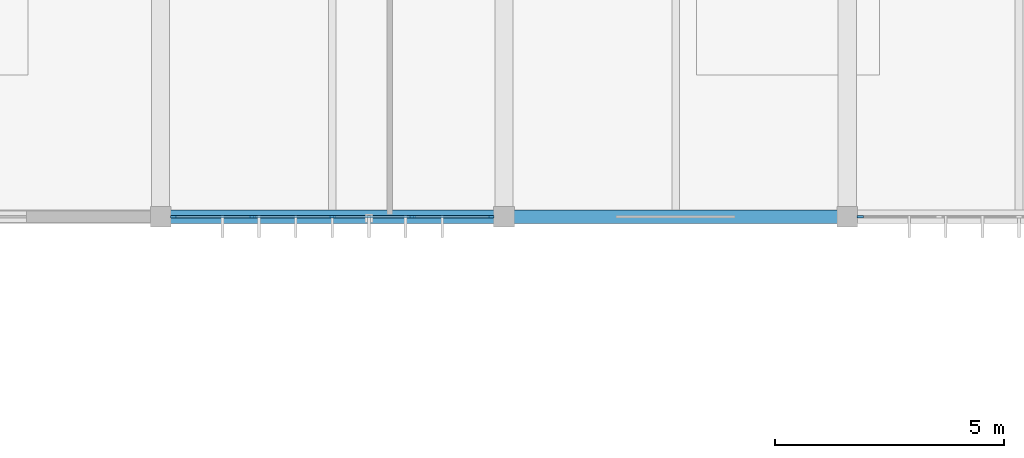
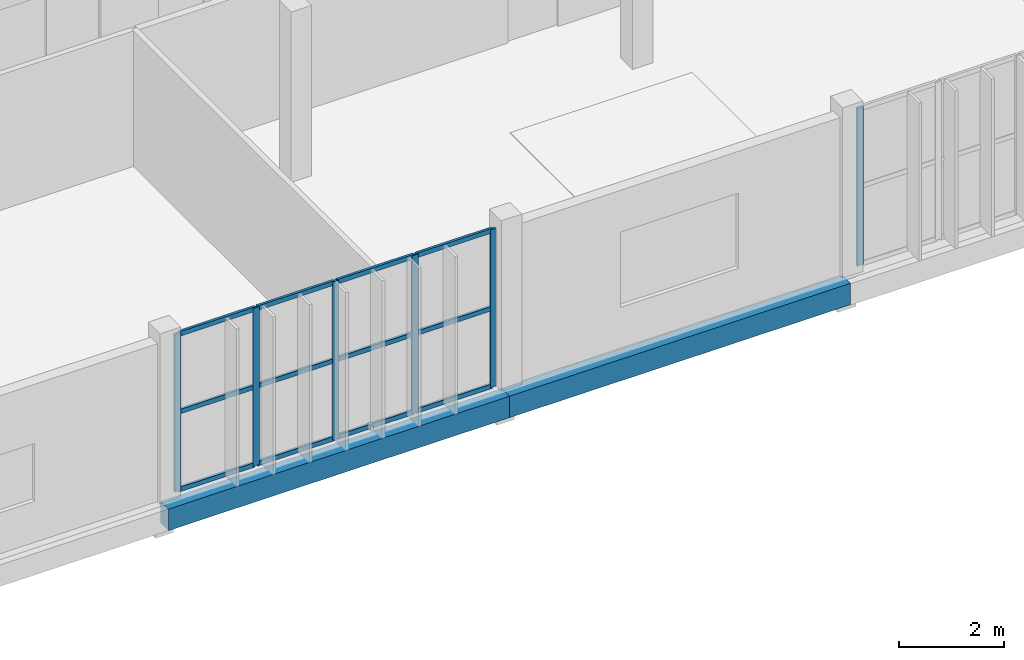
# One storey, part 8 of 26: 18 members, 2 beams, 2 elements without a shape of their own.
"""IFC4 building model written with IfcOpenShell, lengths in metres."""

from ifc_helpers import new_model, si_unit, direction, frame, origin, origin_2d, place, context, subcontext, project, spatial, rectangle, extrude, material, material_profile, profile_set, type_object, element, aggregate, save


model = new_model("IFC4")

# Units and contexts
model_context = context("Model", 3, precision=1e-05, world=origin(), true_north=direction((0.0, 1.0)))
body_context = subcontext(model_context, "Body", "Model", "MODEL_VIEW")
ifc_project = project(units=[si_unit("LENGTHUNIT", "METRE"), si_unit("AREAUNIT", "SQUARE_METRE"), si_unit("VOLUMEUNIT", "CUBIC_METRE"), si_unit("PLANEANGLEUNIT", "RADIAN"), si_unit("MASSUNIT", "GRAM", prefix="KILO")], contexts=[model_context])

# Site, building, storey
site_placement = place(None, origin())
site = spatial("IfcSite", under=ifc_project, at=site_placement, CompositionType="ELEMENT")
building_placement = place(site_placement, origin())
building = spatial("IfcBuilding", under=site, at=building_placement, Name="Vourika Railside Aquatics Centre", CompositionType="ELEMENT")
storey_placement = place(building_placement, frame((0.0, 0.0, 17.699951171875)))
storey = spatial("IfcBuildingStorey", under=building, at=storey_placement, Name="L04", CompositionType="ELEMENT", Elevation=17.699951171875)

# Beams
ifc_material_1 = material(Name="Concrete C35/45", Category="concrete")
ifc_material_profile_1 = material_profile(ifc_material_1, rectangle(XDim=0.300048828125, YDim=0.5, at=origin_2d()), Name="RC 300x500")
ifc_profile_set_1 = profile_set([ifc_material_profile_1], Name="Concrete C35/45")
beam_type = type_object("IfcBeamType", Name="BM-SPAN-300x500", PredefinedType="SPANDREL", material=ifc_profile_set_1)
for number, where, z_axis, x_axis, name in (
    (1, (66.0, 92.0, -0.489990234375), (1.0, 0.0, 0.0), (0.0, 1.0, 0.0), "Floor Beam GX-L04-012"),
    (2, (73.5, 92.0, -0.489990234375), (1.0, 0.0, 0.0), (0.0, 1.0, 0.0), "Floor Beam GX-L04-013"),
):
    element("IfcBeam", number, at=place(storey_placement, frame(where, z_axis=z_axis, x_axis=x_axis)), inside=storey, type_object=beam_type, Name=name, PredefinedType="SPANDREL", context=body_context, shape_type="SweptSolid", body=[
        extrude(rectangle(XDim=0.300048828125, YDim=0.5, at=origin_2d()), origin(), (0.0, 0.0, 1.0), 7.5),
    ])

# Curtain wall, members
ifc_material_2 = material(Name="Anodized thermally broken aluminium", Category="aluminium")
curtain_wall_type = type_object("IfcCurtainWallType", Name="CW-FIT4", PredefinedType="NOTDEFINED", material=ifc_material_2)
curtain_wall_1_placement = place(storey_placement, origin())
curtain_wall_1 = element("IfcCurtainWall", 3, at=curtain_wall_1_placement, inside=storey, type_object=curtain_wall_type, Name="Courtyard Fitness Curtain Wall L04-5", PredefinedType="NOTDEFINED")
ifc_material_3 = material(Name="Anodized aluminium mullion", Category="aluminium")
ifc_material_profile_2 = material_profile(ifc_material_3, rectangle(XDim=0.054931640625, YDim=0.135009765625, at=origin_2d()), Name="ALU-M 55x135")
ifc_profile_set_2 = profile_set([ifc_material_profile_2], Name="Anodized aluminium mullion")
member_type_1 = type_object("IfcMemberType", Name="CWM-FIT4", PredefinedType="MULLION", material=ifc_profile_set_2)
member_1_placement = place(storey_placement, frame((66.282470703125, 92.0, 0.0), z_axis=(0.0, 0.0, 1.0), x_axis=(0.0, 1.0, 0.0)))
member_1 = element("IfcMember", 4, at=member_1_placement, type_object=member_type_1, Name="CW18 mullion 1", PredefinedType="MULLION", context=body_context, shape_type="SweptSolid", body=[
    extrude(rectangle(XDim=0.054931640625, YDim=0.135009765625, at=origin_2d()), origin(), (0.0, 0.0, 1.0), 3.670166015625),
])
member_2_placement = place(storey_placement, frame((68.00244140625, 92.0, 0.0), z_axis=(0.0, 0.0, 1.0), x_axis=(0.0, 1.0, 0.0)))
member_2 = element("IfcMember", 5, at=member_2_placement, type_object=member_type_1, Name="CW18 mullion 2", PredefinedType="MULLION", context=body_context, shape_type="SweptSolid", body=[
    extrude(rectangle(XDim=0.054931640625, YDim=0.135009765625, at=origin_2d()), origin(), (0.0, 0.0, 1.0), 3.670166015625),
])
member_3_placement = place(storey_placement, frame((69.75, 92.0, 0.0), z_axis=(0.0, 0.0, 1.0), x_axis=(0.0, 1.0, 0.0)))
member_3 = element("IfcMember", 6, at=member_3_placement, type_object=member_type_1, Name="CW18 mullion 3", PredefinedType="MULLION", context=body_context, shape_type="SweptSolid", body=[
    extrude(rectangle(XDim=0.054931640625, YDim=0.135009765625, at=origin_2d()), origin(), (0.0, 0.0, 1.0), 3.670166015625),
])
member_4_placement = place(storey_placement, frame((71.49755859375, 92.0, 0.0), z_axis=(0.0, 0.0, 1.0), x_axis=(0.0, 1.0, 0.0)))
member_4 = element("IfcMember", 7, at=member_4_placement, type_object=member_type_1, Name="CW18 mullion 4", PredefinedType="MULLION", context=body_context, shape_type="SweptSolid", body=[
    extrude(rectangle(XDim=0.054931640625, YDim=0.135009765625, at=origin_2d()), origin(), (0.0, 0.0, 1.0), 3.670166015625),
])
member_5_placement = place(storey_placement, frame((73.217529296875, 92.0, 0.0), z_axis=(0.0, 0.0, 1.0), x_axis=(0.0, 1.0, 0.0)))
member_5 = element("IfcMember", 8, at=member_5_placement, type_object=member_type_1, Name="CW18 mullion 5", PredefinedType="MULLION", context=body_context, shape_type="SweptSolid", body=[
    extrude(rectangle(XDim=0.054931640625, YDim=0.135009765625, at=origin_2d()), origin(), (0.0, 0.0, 1.0), 3.670166015625),
])

# Curtain wall, member
curtain_wall_2_placement = place(storey_placement, origin())
curtain_wall_2 = element("IfcCurtainWall", 9, at=curtain_wall_2_placement, inside=storey, type_object=curtain_wall_type, Name="Courtyard Fitness Curtain Wall L04-7", PredefinedType="NOTDEFINED")
member_6_placement = place(storey_placement, frame((81.282470703125, 92.0, 0.0), z_axis=(0.0, 0.0, 1.0), x_axis=(0.0, 1.0, 0.0)))
member_6 = element("IfcMember", 10, at=member_6_placement, type_object=member_type_1, Name="CW18 mullion 1", PredefinedType="MULLION", context=body_context, shape_type="SweptSolid", body=[
    extrude(rectangle(XDim=0.054931640625, YDim=0.135009765625, at=origin_2d()), origin(), (0.0, 0.0, 1.0), 3.670166015625),
])
aggregate(curtain_wall_2, [member_6])

# Member
ifc_material_4 = material(Name="Anodized aluminium transom", Category="aluminium")
ifc_material_profile_3 = material_profile(ifc_material_4, rectangle(XDim=0.054931640625, YDim=0.10595703125, at=origin_2d()), Name="ALU-T 55x106")
ifc_profile_set_3 = profile_set([ifc_material_profile_3], Name="Anodized aluminium transom")
member_type_2 = type_object("IfcMemberType", Name="CWT-FIT4", PredefinedType="USERDEFINED", material=ifc_profile_set_3)
member_7_placement = place(storey_placement, frame((66.31005859375, 92.0, 0.027587890625), z_axis=(1.0, 0.0, 0.0), x_axis=(0.0, 1.0, 0.0)))
member_7 = element("IfcMember", 11, at=member_7_placement, type_object=member_type_2, Name="CW18 transom 1.1", ObjectType="TRANSOM", PredefinedType="USERDEFINED", context=body_context, shape_type="SweptSolid", body=[
    extrude(rectangle(XDim=0.054931640625, YDim=0.10595703125, at=origin_2d()), origin(), (0.0, 0.0, 1.0), 1.6650390625),
])

member_8_placement = place(storey_placement, frame((66.31005859375, 92.0, 1.8349609375), z_axis=(1.0, 0.0, 0.0), x_axis=(0.0, 1.0, 0.0)))
member_8 = element("IfcMember", 12, at=member_8_placement, type_object=member_type_2, Name="CW18 transom 1.2", ObjectType="TRANSOM", PredefinedType="USERDEFINED", context=body_context, shape_type="SweptSolid", body=[
    extrude(rectangle(XDim=0.054931640625, YDim=0.10595703125, at=origin_2d()), origin(), (0.0, 0.0, 1.0), 1.6650390625),
])

member_9_placement = place(storey_placement, frame((66.31005859375, 92.0, 3.642578125), z_axis=(1.0, 0.0, 0.0), x_axis=(0.0, 1.0, 0.0)))
member_9 = element("IfcMember", 13, at=member_9_placement, type_object=member_type_2, Name="CW18 transom 1.3", ObjectType="TRANSOM", PredefinedType="USERDEFINED", context=body_context, shape_type="SweptSolid", body=[
    extrude(rectangle(XDim=0.054931640625, YDim=0.10595703125, at=origin_2d()), origin(), (0.0, 0.0, 1.0), 1.6650390625),
])

member_10_placement = place(storey_placement, frame((68.030029296875, 92.0, 0.027587890625), z_axis=(1.0, 0.0, 0.0), x_axis=(0.0, 1.0, 0.0)))
member_10 = element("IfcMember", 14, at=member_10_placement, type_object=member_type_2, Name="CW18 transom 2.1", ObjectType="TRANSOM", PredefinedType="USERDEFINED", context=body_context, shape_type="SweptSolid", body=[
    extrude(rectangle(XDim=0.054931640625, YDim=0.10595703125, at=origin_2d()), origin(), (0.0, 0.0, 1.0), 1.6923828125),
])

member_11_placement = place(storey_placement, frame((68.030029296875, 92.0, 1.8349609375), z_axis=(1.0, 0.0, 0.0), x_axis=(0.0, 1.0, 0.0)))
member_11 = element("IfcMember", 15, at=member_11_placement, type_object=member_type_2, Name="CW18 transom 2.2", ObjectType="TRANSOM", PredefinedType="USERDEFINED", context=body_context, shape_type="SweptSolid", body=[
    extrude(rectangle(XDim=0.054931640625, YDim=0.10595703125, at=origin_2d()), origin(), (0.0, 0.0, 1.0), 1.6923828125),
])

member_12_placement = place(storey_placement, frame((68.030029296875, 92.0, 3.642578125), z_axis=(1.0, 0.0, 0.0), x_axis=(0.0, 1.0, 0.0)))
member_12 = element("IfcMember", 16, at=member_12_placement, type_object=member_type_2, Name="CW18 transom 2.3", ObjectType="TRANSOM", PredefinedType="USERDEFINED", context=body_context, shape_type="SweptSolid", body=[
    extrude(rectangle(XDim=0.054931640625, YDim=0.10595703125, at=origin_2d()), origin(), (0.0, 0.0, 1.0), 1.6923828125),
])

member_13_placement = place(storey_placement, frame((69.777587890625, 92.0, 0.027587890625), z_axis=(1.0, 0.0, 0.0), x_axis=(0.0, 1.0, 0.0)))
member_13 = element("IfcMember", 17, at=member_13_placement, type_object=member_type_2, Name="CW18 transom 3.1", ObjectType="TRANSOM", PredefinedType="USERDEFINED", context=body_context, shape_type="SweptSolid", body=[
    extrude(rectangle(XDim=0.054931640625, YDim=0.10595703125, at=origin_2d()), origin(), (0.0, 0.0, 1.0), 1.6923828125),
])

member_14_placement = place(storey_placement, frame((69.777587890625, 92.0, 1.8349609375), z_axis=(1.0, 0.0, 0.0), x_axis=(0.0, 1.0, 0.0)))
member_14 = element("IfcMember", 18, at=member_14_placement, type_object=member_type_2, Name="CW18 transom 3.2", ObjectType="TRANSOM", PredefinedType="USERDEFINED", context=body_context, shape_type="SweptSolid", body=[
    extrude(rectangle(XDim=0.054931640625, YDim=0.10595703125, at=origin_2d()), origin(), (0.0, 0.0, 1.0), 1.6923828125),
])

member_15_placement = place(storey_placement, frame((69.777587890625, 92.0, 3.642578125), z_axis=(1.0, 0.0, 0.0), x_axis=(0.0, 1.0, 0.0)))
member_15 = element("IfcMember", 19, at=member_15_placement, type_object=member_type_2, Name="CW18 transom 3.3", ObjectType="TRANSOM", PredefinedType="USERDEFINED", context=body_context, shape_type="SweptSolid", body=[
    extrude(rectangle(XDim=0.054931640625, YDim=0.10595703125, at=origin_2d()), origin(), (0.0, 0.0, 1.0), 1.6923828125),
])

member_16_placement = place(storey_placement, frame((71.52490234375, 92.0, 0.027587890625), z_axis=(1.0, 0.0, 0.0), x_axis=(0.0, 1.0, 0.0)))
member_16 = element("IfcMember", 20, at=member_16_placement, type_object=member_type_2, Name="CW18 transom 4.1", ObjectType="TRANSOM", PredefinedType="USERDEFINED", context=body_context, shape_type="SweptSolid", body=[
    extrude(rectangle(XDim=0.054931640625, YDim=0.10595703125, at=origin_2d()), origin(), (0.0, 0.0, 1.0), 1.6650390625),
])

member_17_placement = place(storey_placement, frame((71.52490234375, 92.0, 1.8349609375), z_axis=(1.0, 0.0, 0.0), x_axis=(0.0, 1.0, 0.0)))
member_17 = element("IfcMember", 21, at=member_17_placement, type_object=member_type_2, Name="CW18 transom 4.2", ObjectType="TRANSOM", PredefinedType="USERDEFINED", context=body_context, shape_type="SweptSolid", body=[
    extrude(rectangle(XDim=0.054931640625, YDim=0.10595703125, at=origin_2d()), origin(), (0.0, 0.0, 1.0), 1.6650390625),
])

member_18_placement = place(storey_placement, frame((71.52490234375, 92.0, 3.642578125), z_axis=(1.0, 0.0, 0.0), x_axis=(0.0, 1.0, 0.0)))
member_18 = element("IfcMember", 22, at=member_18_placement, type_object=member_type_2, Name="CW18 transom 4.3", ObjectType="TRANSOM", PredefinedType="USERDEFINED", context=body_context, shape_type="SweptSolid", body=[
    extrude(rectangle(XDim=0.054931640625, YDim=0.10595703125, at=origin_2d()), origin(), (0.0, 0.0, 1.0), 1.6650390625),
])

aggregate(curtain_wall_1, [member_1, member_2, member_3, member_4, member_5, member_7, member_8, member_9, member_10, member_11, member_12, member_13, member_14, member_15, member_16, member_17, member_18])

save(model, "model.ifc")
